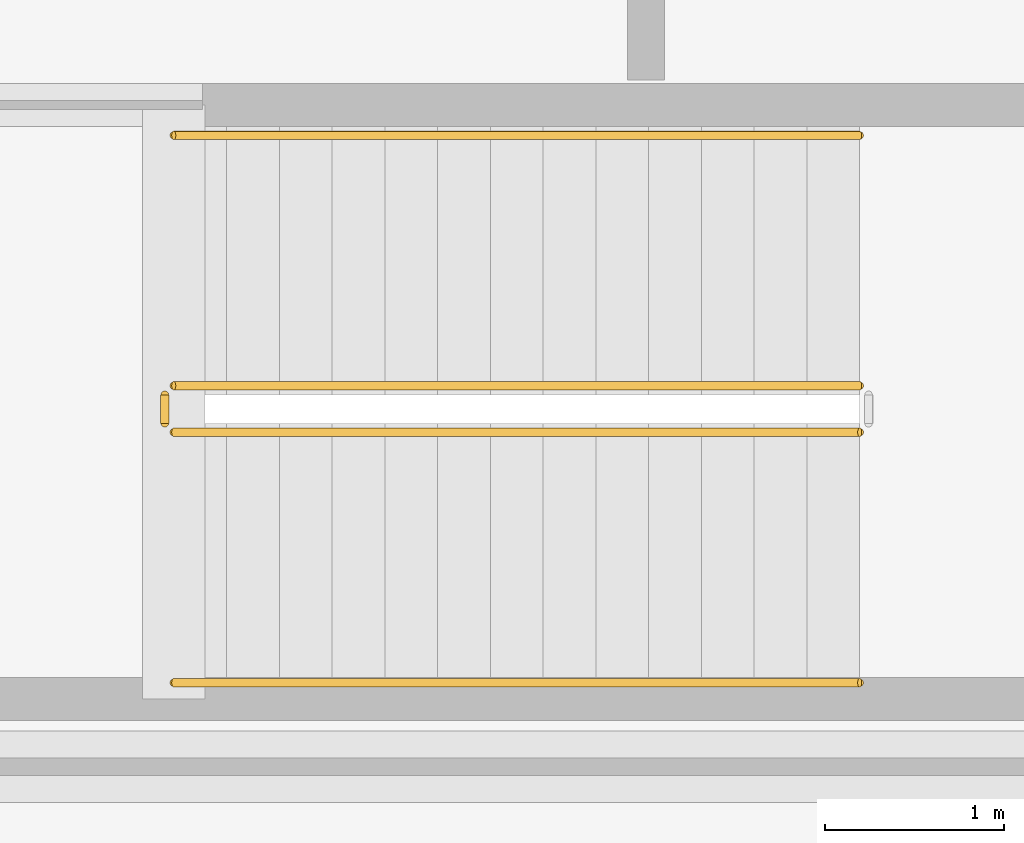
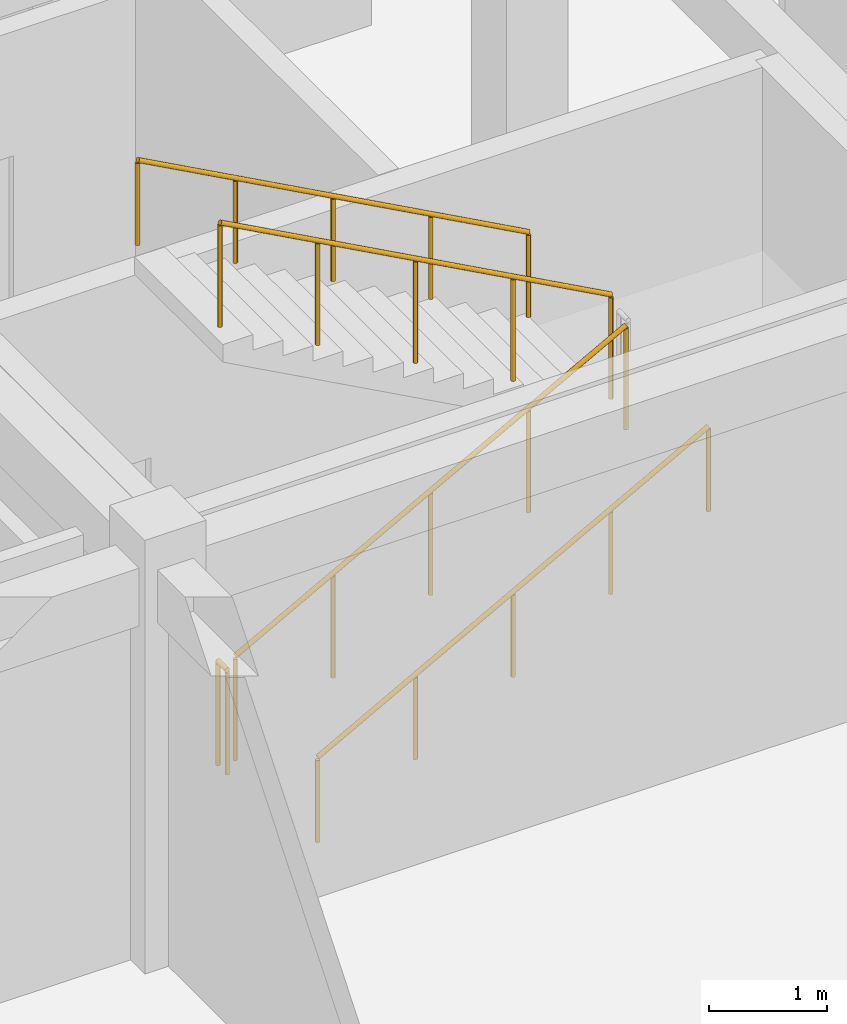
# One storey, part 132 of 144: 5 railings.
"""IFC4 building model written with IfcOpenShell, lengths in metres."""

from ifc_helpers import new_model, si_unit, direction, frame, origin, origin_2d, place, context, subcontext, project, spatial, circle, extrude, material, type_object, element, save


model = new_model("IFC4")

# Units and contexts
model_context = context("Model", 3, precision=1e-05, world=origin(), true_north=direction((0.0, 1.0)))
body_context = subcontext(model_context, "Body", "Model", "MODEL_VIEW")
ifc_project = project(units=[si_unit("LENGTHUNIT", "METRE"), si_unit("AREAUNIT", "SQUARE_METRE"), si_unit("VOLUMEUNIT", "CUBIC_METRE"), si_unit("PLANEANGLEUNIT", "RADIAN"), si_unit("MASSUNIT", "GRAM", prefix="KILO")], contexts=[model_context])

# Site, building, storey
site_placement = place(None, origin())
site = spatial("IfcSite", under=ifc_project, at=site_placement, CompositionType="ELEMENT")
building_placement = place(site_placement, origin())
building = spatial("IfcBuilding", under=site, at=building_placement, Name="Bramfleet General Hospital", CompositionType="ELEMENT")
storey_placement = place(building_placement, frame((0.0, 0.0, 4.800048828125)))
storey = spatial("IfcBuildingStorey", under=building, at=storey_placement, Name="L01", CompositionType="ELEMENT", Elevation=4.800048828125)

# Railings
ifc_material_1 = material(Name="Powder-coated steel stair balustrade", Category="steel")
railing_type_1 = type_object("IfcRailingType", Name="RAIL-ST-GUARD", PredefinedType="GUARDRAIL", material=ifc_material_1)
railing_1_placement = place(storey_placement, frame((60.639892578125, 69.070068359375, 0.16064453125)))
element("IfcRailing", 1, at=railing_1_placement, inside=storey, type_object=railing_type_1, Name="L01 ST-C13 stair guard 1", PredefinedType="GUARDRAIL", context=body_context, shape_type="SweptSolid", body=[
    extrude(circle(Radius=0.02392578125, at=origin_2d()), frame((0.0, 0.0, 1.076171875), z_axis=(0.878143269688, 0.0, 0.478397740276), x_axis=(0.0, 1.0, 0.0)), (0.0, 0.0, 1.0), 4.367431640625),
    extrude(circle(Radius=0.02099609375, at=origin_2d()), origin(), (0.0, 0.0, 1.0), 1.052001953125),
    extrude(circle(Radius=0.02099609375, at=origin_2d()), frame((0.958740234375, 0.0, 0.5224609375)), (0.0, 0.0, 1.0), 1.052001953125),
    extrude(circle(Radius=0.02099609375, at=origin_2d()), frame((1.91748046875, 0.0, 1.044677734375)), (0.0, 0.0, 1.0), 1.052001953125),
    extrude(circle(Radius=0.02099609375, at=origin_2d()), frame((2.87646484375, 0.0, 1.56689453125)), (0.0, 0.0, 1.0), 1.052001953125),
    extrude(circle(Radius=0.02099609375, at=origin_2d()), frame((3.835205078125, 0.0, 2.08935546875)), (0.0, 0.0, 1.0), 1.052001953125),
])
railing_2_placement = place(storey_placement, frame((64.47509765625, 69.330078125, 2.41064453125)))
element("IfcRailing", 2, at=railing_2_placement, inside=storey, type_object=railing_type_1, Name="L01 ST-C13 stair guard 3", PredefinedType="GUARDRAIL", context=body_context, shape_type="SweptSolid", body=[
    extrude(circle(Radius=0.02392578125, at=origin_2d()), frame((0.0, 0.0, 1.076171875), z_axis=(-0.878143269688, 0.0, 0.478397740276), x_axis=(0.0, -1.0, 0.0)), (0.0, 0.0, 1.0), 4.367431640625),
    extrude(circle(Radius=0.02099609375, at=origin_2d()), origin(), (0.0, 0.0, 1.0), 1.052001953125),
    extrude(circle(Radius=0.02099609375, at=origin_2d()), frame((-0.958740234375, 0.0, 0.5224609375)), (0.0, 0.0, 1.0), 1.052001953125),
    extrude(circle(Radius=0.02099609375, at=origin_2d()), frame((-1.91748046875, 0.0, 1.044677734375)), (0.0, 0.0, 1.0), 1.052001953125),
    extrude(circle(Radius=0.02099609375, at=origin_2d()), frame((-2.87646484375, 0.0, 1.56689453125)), (0.0, 0.0, 1.0), 1.052001953125),
    extrude(circle(Radius=0.02099609375, at=origin_2d()), frame((-3.835205078125, 0.0, 2.08935546875)), (0.0, 0.0, 1.0), 1.052001953125),
])
railing_3_placement = place(storey_placement, frame((60.590087890625, 69.1201171875, 0.0)))
element("IfcRailing", 3, at=railing_3_placement, inside=storey, type_object=railing_type_1, Name="L01 ST-C13 stair guard 4", PredefinedType="GUARDRAIL", context=body_context, shape_type="SweptSolid", body=[
    extrude(circle(Radius=0.02392578125, at=origin_2d()), frame((0.0, 0.0, 1.076171875), z_axis=(0.0, 1.0, 0.0), x_axis=(-1.0, 0.0, 0.0)), (0.0, 0.0, 1.0), 0.159912109375),
    extrude(circle(Radius=0.02099609375, at=origin_2d()), origin(), (0.0, 0.0, 1.0), 1.052001953125),
    extrude(circle(Radius=0.02099609375, at=origin_2d()), frame((0.0, 0.159912109375, 0.0)), (0.0, 0.0, 1.0), 1.052001953125),
])
ifc_material_2 = material(Name="Stainless steel 1.4301 stair handrail", Category="steel")
railing_type_2 = type_object("IfcRailingType", Name="RAIL-ST-HND", PredefinedType="HANDRAIL", material=ifc_material_2)
railing_4_placement = place(storey_placement, frame((60.639892578125, 67.669921875, 0.16064453125)))
element("IfcRailing", 4, at=railing_4_placement, inside=storey, type_object=railing_type_2, Name="L01 ST-C13 stair handrail 1", PredefinedType="HANDRAIL", context=body_context, shape_type="SweptSolid", body=[
    extrude(circle(Radius=0.02392578125, at=origin_2d()), frame((0.0, 0.0, 0.8759765625), z_axis=(0.878143269688, 0.0, 0.478397740276), x_axis=(0.0, 1.0, 0.0)), (0.0, 0.0, 1.0), 4.367431640625),
    extrude(circle(Radius=0.02099609375, at=origin_2d()), origin(), (0.0, 0.0, 1.0), 0.851806640625),
    extrude(circle(Radius=0.02099609375, at=origin_2d()), frame((0.958740234375, 0.0, 0.5224609375)), (0.0, 0.0, 1.0), 0.851806640625),
    extrude(circle(Radius=0.02099609375, at=origin_2d()), frame((1.91748046875, 0.0, 1.044677734375)), (0.0, 0.0, 1.0), 0.851806640625),
    extrude(circle(Radius=0.02099609375, at=origin_2d()), frame((2.87646484375, 0.0, 1.56689453125)), (0.0, 0.0, 1.0), 0.851806640625),
    extrude(circle(Radius=0.02099609375, at=origin_2d()), frame((3.835205078125, 0.0, 2.08935546875)), (0.0, 0.0, 1.0), 0.851806640625),
])
railing_5_placement = place(storey_placement, frame((64.47509765625, 70.72998046875, 2.41064453125)))
element("IfcRailing", 5, at=railing_5_placement, inside=storey, type_object=railing_type_2, Name="L01 ST-C13 stair handrail 2", PredefinedType="HANDRAIL", context=body_context, shape_type="SweptSolid", body=[
    extrude(circle(Radius=0.02392578125, at=origin_2d()), frame((0.0, 0.0, 0.8759765625), z_axis=(-0.878143269688, 0.0, 0.478397740276), x_axis=(0.0, -1.0, 0.0)), (0.0, 0.0, 1.0), 4.367431640625),
    extrude(circle(Radius=0.02099609375, at=origin_2d()), origin(), (0.0, 0.0, 1.0), 0.851806640625),
    extrude(circle(Radius=0.02099609375, at=origin_2d()), frame((-0.958740234375, 0.0, 0.5224609375)), (0.0, 0.0, 1.0), 0.851806640625),
    extrude(circle(Radius=0.02099609375, at=origin_2d()), frame((-1.91748046875, 0.0, 1.044677734375)), (0.0, 0.0, 1.0), 0.851806640625),
    extrude(circle(Radius=0.02099609375, at=origin_2d()), frame((-2.87646484375, 0.0, 1.56689453125)), (0.0, 0.0, 1.0), 0.851806640625),
    extrude(circle(Radius=0.02099609375, at=origin_2d()), frame((-3.835205078125, 0.0, 2.08935546875)), (0.0, 0.0, 1.0), 0.851806640625),
])

save(model, "model.ifc")
